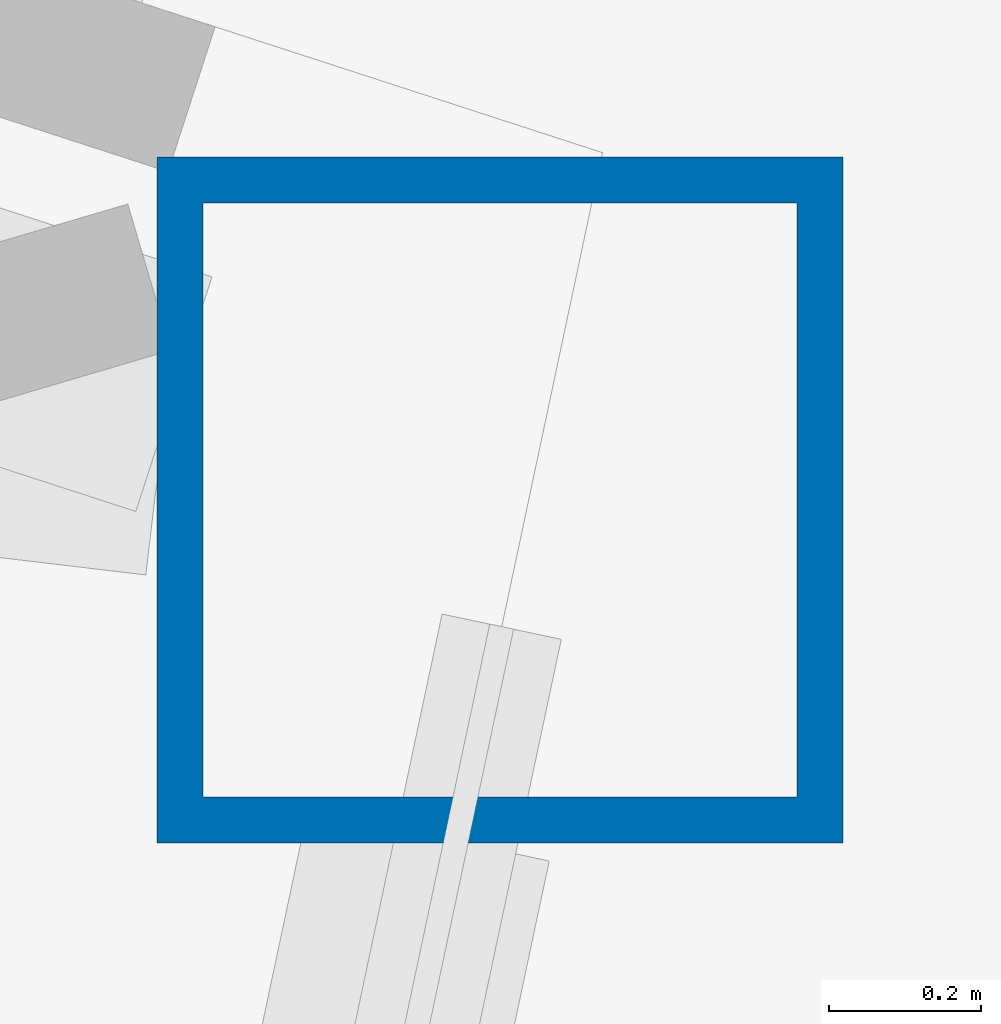
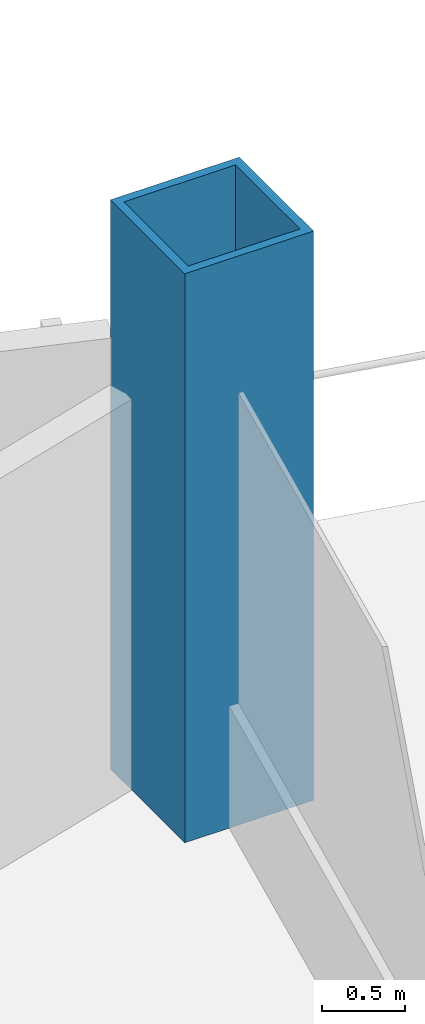
# One storey, part 2 of 21: 1 column.
"""IFC4 building model written with IfcOpenShell, lengths in metres."""

from ifc_helpers import new_model, si_unit, direction, frame, origin, origin_2d, place, context, subcontext, project, spatial, hollow_rectangle, extrude, material, material_profile, profile_set, type_object, element, save


model = new_model("IFC4")

# Units and contexts
model_context = context("Model", 3, precision=1e-05, world=origin(), true_north=direction((0.0, 1.0)))
body_context = subcontext(model_context, "Body", "Model", "MODEL_VIEW")
ifc_project = project(units=[si_unit("LENGTHUNIT", "METRE"), si_unit("AREAUNIT", "SQUARE_METRE"), si_unit("VOLUMEUNIT", "CUBIC_METRE"), si_unit("PLANEANGLEUNIT", "RADIAN"), si_unit("MASSUNIT", "GRAM", prefix="KILO")], contexts=[model_context])

# Site, building, storey
site_placement = place(None, origin())
site = spatial("IfcSite", under=ifc_project, at=site_placement, CompositionType="ELEMENT")
building_placement = place(site_placement, origin())
building = spatial("IfcBuilding", under=site, at=building_placement, Name="Cormorant Prow Tower", CompositionType="ELEMENT")
storey_placement = place(building_placement, frame((0.0, 0.0, 116.39990234375)))
storey = spatial("IfcBuildingStorey", under=building, at=storey_placement, Name="L24", CompositionType="ELEMENT", Elevation=116.39990234375)

# Column
ifc_material = material(Name="Structural steel ASTM A572 Gr 50", Category="steel")
ifc_material_profile = material_profile(ifc_material, hollow_rectangle(XDim=0.89990234375, YDim=0.89990234375, WallThickness=0.06005859375, at=origin_2d()), Name="Box 900x900x60")
ifc_profile_set = profile_set([ifc_material_profile], Name="Structural steel ASTM A572 Gr 50")
column_type = type_object("IfcColumnType", Name="Perimeter box column 900x900x60", PredefinedType="COLUMN", material=ifc_profile_set)
column_placement = place(storey_placement, frame((32.1962890625, -4.967041015625, 0.0), z_axis=(0.0, 0.0, 1.0), x_axis=(1.0, 0.0, 0.0)))
element("IfcColumn", 1, at=column_placement, inside=storey, type_object=column_type, Name="Perimeter column C3 at ENE01 L24", PredefinedType="COLUMN", context=body_context, shape_type="SweptSolid", body=[
    extrude(hollow_rectangle(XDim=0.89990234375, YDim=0.89990234375, WallThickness=0.06005859375, at=origin_2d()), origin(), (0.0, 0.0, 1.0), 4.2001953125),
])

save(model, "model.ifc")
